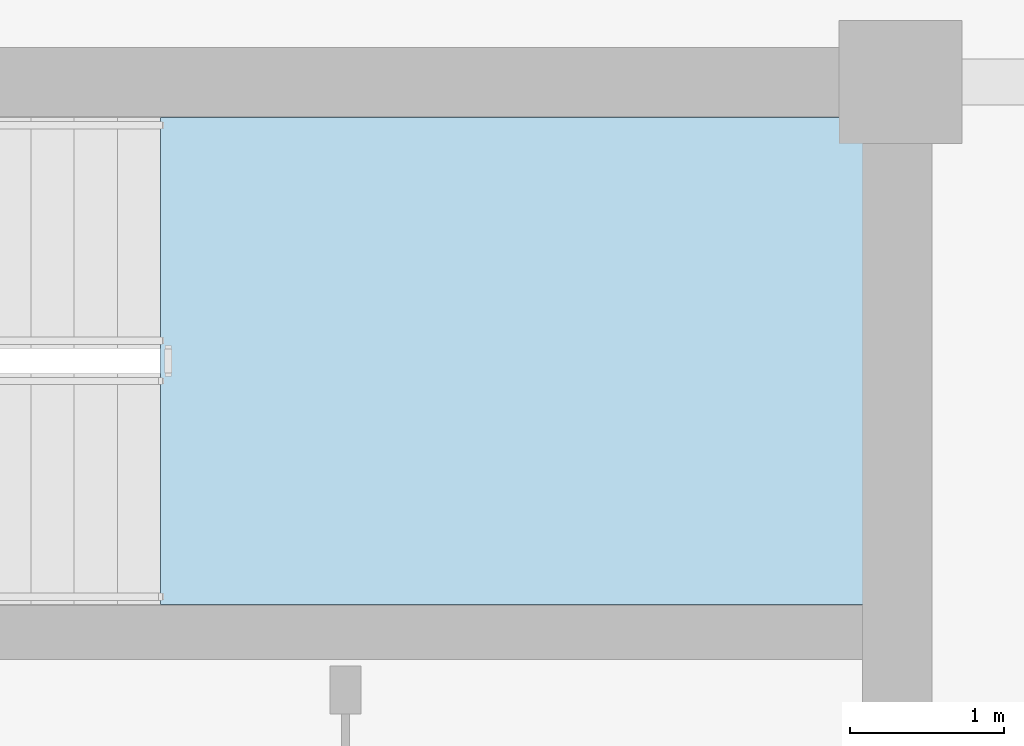
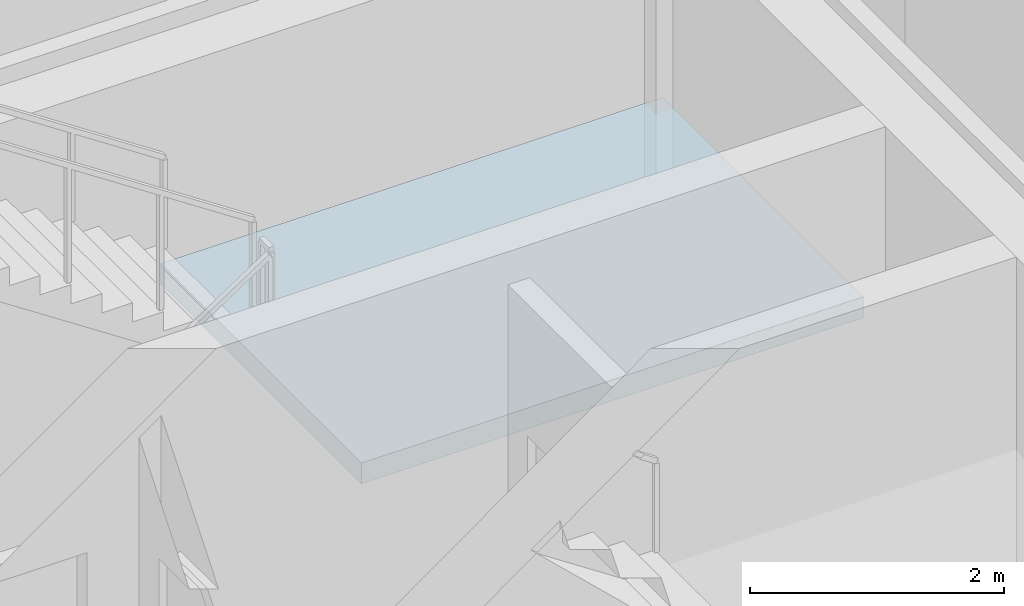
# One storey, part 5 of 14: 1 slab, 1 element without a shape of its own.
"""IFC4 building model written with IfcOpenShell, lengths in metres."""

from ifc_helpers import new_model, si_unit, direction, frame, origin, place, context, subcontext, project, spatial, polyline, outline, extrude, material, layer, layer_set, type_object, element, aggregate, save


model = new_model("IFC4")

# Units and contexts
model_context = context("Model", 3, precision=1e-05, world=origin(), true_north=direction((0.0, 1.0)))
body_context = subcontext(model_context, "Body", "Model", "MODEL_VIEW")
ifc_project = project(units=[si_unit("LENGTHUNIT", "METRE"), si_unit("AREAUNIT", "SQUARE_METRE"), si_unit("VOLUMEUNIT", "CUBIC_METRE"), si_unit("PLANEANGLEUNIT", "RADIAN"), si_unit("MASSUNIT", "GRAM", prefix="KILO")], contexts=[model_context])

# Site, building, storey
site_placement = place(None, origin())
site = spatial("IfcSite", under=ifc_project, at=site_placement, CompositionType="ELEMENT")
building_placement = place(site_placement, origin())
building = spatial("IfcBuilding", under=site, at=building_placement, Name="Zarnavel Station Tower", CompositionType="ELEMENT")
storey_placement = place(building_placement, frame((0.0, 0.0, 251.0)))
storey = spatial("IfcBuildingStorey", under=building, at=storey_placement, Name="L68", CompositionType="ELEMENT", Elevation=251.0)

# Stair, slab
ifc_material_1 = material(Name="Concrete C45/55", Category="concrete")
stair_type = type_object("IfcStairType", Name="ST_CORE_150", PredefinedType="HALF_TURN_STAIR", material=ifc_material_1)
stair_placement = place(storey_placement, origin())
stair = element("IfcStair", 1, at=stair_placement, inside=storey, type_object=stair_type, Name="L68 Core Exit Stair ST2", PredefinedType="HALF_TURN_STAIR")
ifc_material_2 = material(Name="Concrete C45/55", Category="concrete")
ifc_layer = layer(ifc_material_2, 0.199951171875)
ifc_layer_set = layer_set([ifc_layer], Name="SL_STAIR_LAND_200")
slab_type = type_object("IfcSlabType", Name="SL_STAIR_LAND_200", PredefinedType="LANDING", material=ifc_layer_set)
slab_placement = place(storey_placement, frame((0.0, 0.0, 1.64990234375)))
slab = element("IfcSlab", 2, at=slab_placement, type_object=slab_type, Name="ST2 landing 1", PredefinedType="LANDING", context=body_context, shape_type="SweptSolid", body=[
    extrude(outline(polyline([(40.60009765625, 33.659912109375), (45.159912109375, 33.659912109375), (45.159912109375, 36.820068359375), (40.60009765625, 36.820068359375), (40.60009765625, 33.659912109375)])), origin(), (0.0, 0.0, 1.0), 0.2001953125),
])
aggregate(stair, [slab])

save(model, "model.ifc")
